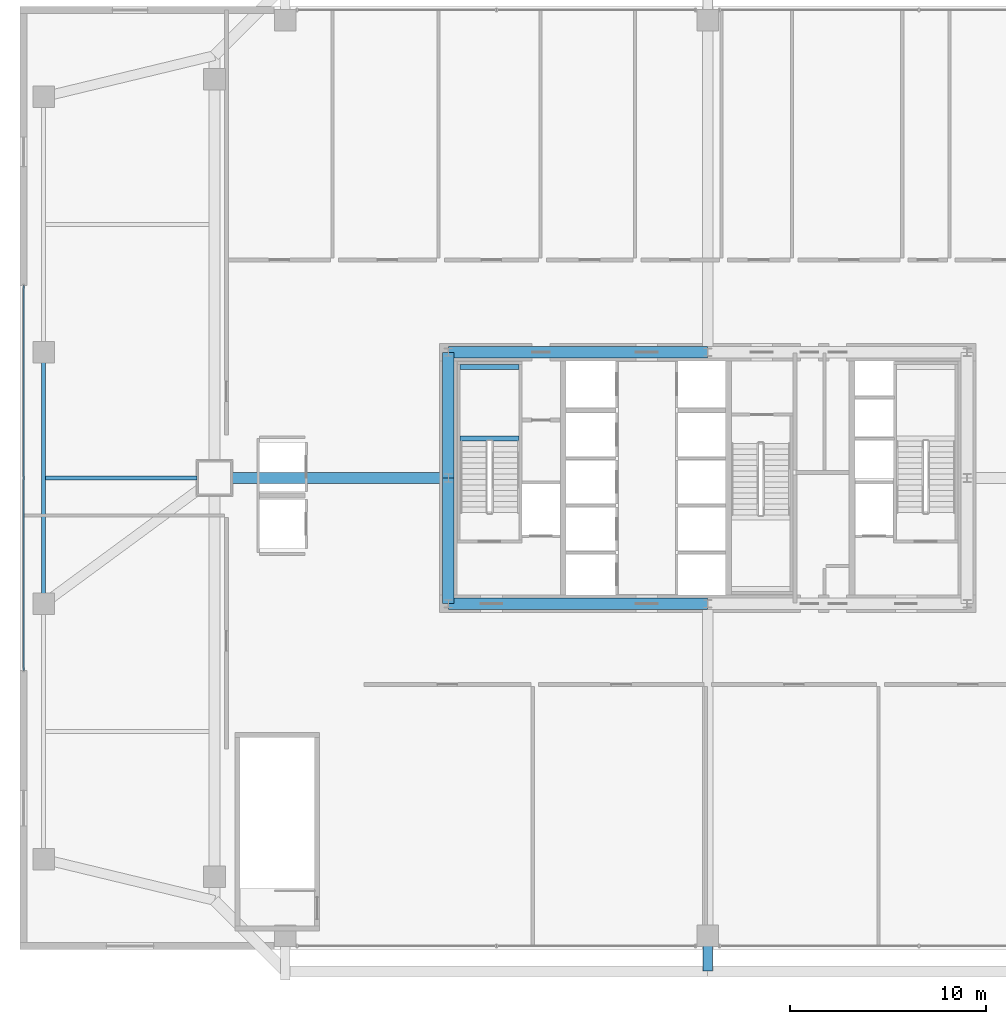
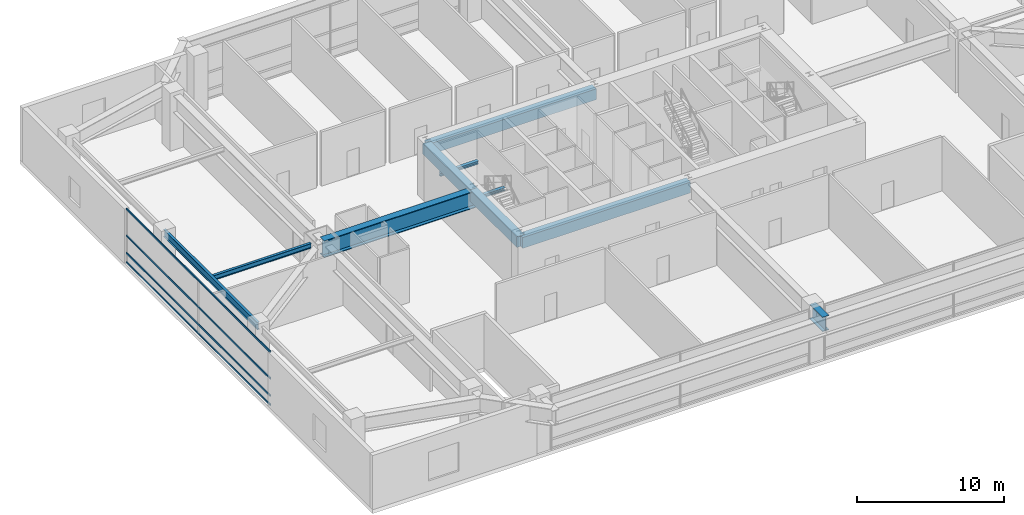
# One storey, part 10 of 34: 10 beams, 4 members, 1 element without a shape of its own.
"""IFC4 building model written with IfcOpenShell, lengths in metres."""

from ifc_helpers import new_model, si_unit, direction, frame, origin, origin_2d, place, context, subcontext, project, spatial, rectangle, hollow_rectangle, i_section, extrude, source, transform, mapped, material, layer, layer_set, material_profile, profile_set, type_object, element, aggregate, save


model = new_model("IFC4")

# Units and contexts
model_context = context("Model", 3, precision=1e-05, world=origin(), true_north=direction((0.0, 1.0)))
body_context = subcontext(model_context, "Body", "Model", "MODEL_VIEW")
ifc_project = project(units=[si_unit("LENGTHUNIT", "METRE"), si_unit("AREAUNIT", "SQUARE_METRE"), si_unit("VOLUMEUNIT", "CUBIC_METRE"), si_unit("PLANEANGLEUNIT", "RADIAN"), si_unit("MASSUNIT", "GRAM", prefix="KILO"), si_unit("THERMODYNAMICTEMPERATUREUNIT", "KELVIN"), si_unit("POWERUNIT", "WATT")], contexts=[model_context])

# Site, building, storey
site_placement = place(None, origin())
site = spatial("IfcSite", under=ifc_project, at=site_placement, CompositionType="ELEMENT")
building_placement = place(site_placement, origin())
building = spatial("IfcBuilding", under=site, at=building_placement, Name="Yuzanri Waterfront Tower", CompositionType="ELEMENT")
storey_placement = place(building_placement, frame((0.0, 0.0, 25.800048828125)))
storey = spatial("IfcBuildingStorey", under=building, at=storey_placement, Name="L06", CompositionType="ELEMENT", Elevation=25.800048828125)

# Beams
ifc_material_1 = material(Name="Concrete C60", Category="concrete")
ifc_material_profile_1 = material_profile(ifc_material_1, rectangle(XDim=0.60009765625, YDim=0.89990234375, at=origin_2d()), Name="RC 600x900")
ifc_profile_set_1 = profile_set([ifc_material_profile_1], Name="Concrete C60")
beam_type_1 = type_object("IfcBeamType", Name="Core Coupling Lintel Concrete C60 600x900", PredefinedType="LINTEL", material=ifc_profile_set_1)
shared_shape_1 = source(origin(), body_context, "Body", "SweptSolid", [
    extrude(rectangle(XDim=0.60009765625, YDim=0.89990234375, at=origin_2d()), origin(), (0.0, 0.0, 1.0), 13.199951171875),
])
for number, where, z_axis, x_axis, name in (
    (1, (23.800048828125, 19.39990234375, 4.050048828125), (1.0, 0.0, 0.0), (0.0, 1.0, 0.0), "L06 Core Tie Beam CS1"),
    (2, (23.800048828125, 32.199951171875, 4.050048828125), (1.0, 0.0, 0.0), (0.0, 1.0, 0.0), "L06 Core Tie Beam CN1"),
):
    element("IfcBeam", number, at=place(storey_placement, frame(where, z_axis=z_axis, x_axis=x_axis)), inside=storey, type_object=beam_type_1, Name=name, PredefinedType="LINTEL", context=body_context, shape_type="MappedRepresentation", body=[
        mapped(shared_shape_1, transform((0.0, 0.0, 0.0), scale=1.0)),
    ])
shared_shape_2 = source(origin(), body_context, "Body", "SweptSolid", [
    extrude(rectangle(XDim=0.60009765625, YDim=0.89990234375, at=origin_2d()), origin(), (0.0, 0.0, 1.0), 6.400146484375),
])
beam_1_placement = place(storey_placement, frame((23.800048828125, 19.39990234375, 4.050048828125), z_axis=(0.0, 1.0, 0.0), x_axis=(-1.0, 0.0, 0.0)))
element("IfcBeam", 3, at=beam_1_placement, inside=storey, type_object=beam_type_1, Name="L06 Core Tie Beam CW1", PredefinedType="LINTEL", context=body_context, shape_type="MappedRepresentation", body=[
    mapped(shared_shape_2, transform((0.0, 0.0, 0.0), scale=1.0)),
])
shared_shape_3 = source(origin(), body_context, "Body", "SweptSolid", [
    extrude(rectangle(XDim=0.60009765625, YDim=0.89990234375, at=origin_2d()), origin(), (0.0, 0.0, 1.0), 6.39990234375),
])
beam_2_placement = place(storey_placement, frame((23.800048828125, 25.800048828125, 4.050048828125), z_axis=(0.0, 1.0, 0.0), x_axis=(-1.0, 0.0, 0.0)))
element("IfcBeam", 4, at=beam_2_placement, inside=storey, type_object=beam_type_1, Name="L06 Core Tie Beam CW2", PredefinedType="LINTEL", context=body_context, shape_type="MappedRepresentation", body=[
    mapped(shared_shape_3, transform((0.0, 0.0, 0.0), scale=1.0)),
])
ifc_material_2 = material(Name="Steel Q355B", Category="steel")
ifc_material_profile_2 = material_profile(ifc_material_2, i_section(OverallWidth=0.199951171875, OverallDepth=0.60009765625, WebThickness=0.010986328125, FlangeThickness=0.01708984375, at=origin_2d()), Name="HN 600x200x11x17")
ifc_profile_set_2 = profile_set([ifc_material_profile_2], Name="Steel Q355B")
beam_type_2 = type_object("IfcBeamType", Name="Perimeter Spandrel Q355B HN 600x200", PredefinedType="SPANDREL", material=ifc_profile_set_2)
shared_shape_4 = source(origin(), body_context, "Body", "SweptSolid", [
    extrude(i_section(OverallWidth=0.199951171875, OverallDepth=0.60009765625, WebThickness=0.010986328125, FlangeThickness=0.01708984375, at=origin_2d()), origin(), (0.0, 0.0, 1.0), 12.800048828125),
])
beam_3_placement = place(storey_placement, frame((3.199951171875, 19.39990234375, 4.199951171875), z_axis=(0.0, 1.0, 0.0), x_axis=(-1.0, 0.0, 0.0)))
element("IfcBeam", 5, at=beam_3_placement, inside=storey, type_object=beam_type_2, Name="L06 West Podium Spandrel 2", PredefinedType="SPANDREL", context=body_context, shape_type="MappedRepresentation", body=[
    mapped(shared_shape_4, transform((0.0, 0.0, 0.0), scale=1.0)),
])
ifc_material_3 = material(Name="Steel Q420GJC", Category="steel")
ifc_material_profile_3 = material_profile(ifc_material_3, i_section(OverallWidth=0.550048828125, OverallDepth=1.39990234375, WebThickness=0.030029296875, FlangeThickness=0.054931640625, at=origin_2d()), Name="PG 1400x550x30x55")
ifc_profile_set_3 = profile_set([ifc_material_profile_3], Name="Steel Q420GJC")
beam_type_3 = type_object("IfcBeamType", Name="Tower Base Transfer Girder Q420GJC PG 1400x550", PredefinedType="USERDEFINED", material=ifc_profile_set_3)
shared_shape_5 = source(origin(), body_context, "Body", "SweptSolid", [
    extrude(i_section(OverallWidth=0.550048828125, OverallDepth=1.39990234375, WebThickness=0.030029296875, FlangeThickness=0.054931640625, at=origin_2d()), origin(), (0.0, 0.0, 1.0), 11.900146484375),
])
beam_4_placement = place(storey_placement, frame((23.800048828125, 25.800048828125, 3.800048828125), z_axis=(-1.0, 0.0, 0.0), x_axis=(0.0, -1.0, 0.0)))
element("IfcBeam", 6, at=beam_4_placement, inside=storey, type_object=beam_type_3, Name="L06 Tower Base Transfer W2A", ObjectType="GIRDER", PredefinedType="USERDEFINED", context=body_context, shape_type="MappedRepresentation", body=[
    mapped(shared_shape_5, transform((0.0, 0.0, 0.0), scale=1.0)),
])
ifc_material_4 = material(Name="Steel Q420GJC", Category="steel")
ifc_material_profile_4 = material_profile(ifc_material_4, i_section(OverallWidth=0.5, OverallDepth=1.199951171875, WebThickness=0.028076171875, FlangeThickness=0.050048828125, at=origin_2d()), Name="PG 1200x500x28x50")
ifc_profile_set_4 = profile_set([ifc_material_profile_4], Name="Steel Q420GJC")
beam_type_4 = type_object("IfcBeamType", Name="Setback Transfer Girder Q420GJC PG 1200x500", PredefinedType="USERDEFINED", material=ifc_profile_set_4)
shared_shape_6 = source(origin(), body_context, "Body", "SweptSolid", [
    extrude(i_section(OverallWidth=0.5, OverallDepth=1.199951171875, WebThickness=0.028076171875, FlangeThickness=0.050048828125, at=origin_2d()), origin(), (0.0, 0.0, 1.0), 1.800048828125),
])
beam_5_placement = place(storey_placement, frame((37.0, 0.699951171875, 3.89990234375), z_axis=(0.0, 1.0, 0.0), x_axis=(-1.0, 0.0, 0.0)))
element("IfcBeam", 7, at=beam_5_placement, inside=storey, type_object=beam_type_4, Name="L06 Tower Base Transfer S2B", ObjectType="GIRDER", PredefinedType="USERDEFINED", context=body_context, shape_type="MappedRepresentation", body=[
    mapped(shared_shape_6, transform((0.0, 0.0, 0.0), scale=1.0)),
])
ifc_material_5 = material(Name="Steel Q355B", Category="steel")
ifc_material_profile_5 = material_profile(ifc_material_5, i_section(OverallWidth=0.199951171875, OverallDepth=0.39990234375, WebThickness=0.008056640625, FlangeThickness=0.012939453125, at=origin_2d()), Name="HN 400x200x8x13")
ifc_profile_set_5 = profile_set([ifc_material_profile_5], Name="Steel Q355B")
beam_type_5 = type_object("IfcBeamType", Name="Floor Joist Q355B HN 400x200", PredefinedType="JOIST", material=ifc_profile_set_5)
shared_shape_7 = source(origin(), body_context, "Body", "SweptSolid", [
    extrude(i_section(OverallWidth=0.199951171875, OverallDepth=0.39990234375, WebThickness=0.008056640625, FlangeThickness=0.012939453125, at=origin_2d()), origin(), (0.0, 0.0, 1.0), 7.699951171875),
])
beam_6_placement = place(storey_placement, frame((3.300048828125, 25.800048828125, 4.300048828125), z_axis=(1.0, 0.0, 0.0), x_axis=(0.0, 1.0, 0.0)))
element("IfcBeam", 8, at=beam_6_placement, inside=storey, type_object=beam_type_5, Name="L06 West Podium Roof Joist 2", PredefinedType="JOIST", context=body_context, shape_type="MappedRepresentation", body=[
    mapped(shared_shape_7, transform((0.0, 0.0, 0.0), scale=1.0)),
])

# Curtain wall, members
ifc_material_6 = material(Name="Anodized Architectural Bronze", Category="metal")
ifc_layer = layer(ifc_material_6, 0.159912109375)
ifc_layer_set = layer_set([ifc_layer], Name="Anodized Architectural Bronze")
curtain_wall_type = type_object("IfcCurtainWallType", Name="Anodized Bronze Podium Waterfront Double-Height Unitized Curtain Wall 8400", PredefinedType="NOTDEFINED", material=ifc_layer_set)
curtain_wall_placement = place(storey_placement, origin())
curtain_wall = element("IfcCurtainWall", 9, at=curtain_wall_placement, inside=storey, type_object=curtain_wall_type, Name="L06 Curtain Wall CW-L06-W", PredefinedType="NOTDEFINED")
ifc_material_7 = material(Name="Anodized Architectural Bronze", Category="metal")
ifc_material_profile_6 = material_profile(ifc_material_7, hollow_rectangle(XDim=0.074951171875, YDim=0.14990234375, WallThickness=0.00390625, at=origin_2d()), Name="CWT 75x150")
ifc_profile_set_6 = profile_set([ifc_material_profile_6], Name="Anodized Architectural Bronze")
member_type = type_object("IfcMemberType", Name="Anodized Bronze Primary Curtain-Wall Transom 75x150", PredefinedType="USERDEFINED", material=ifc_profile_set_6)
shared_shape_8 = source(origin(), body_context, "Body", "SweptSolid", [
    extrude(hollow_rectangle(XDim=0.074951171875, YDim=0.14990234375, WallThickness=0.00390625, at=origin_2d()), origin(), (0.0, 0.0, 1.0), 19.60009765625),
])
member_1_placement = place(storey_placement, frame((2.179931640625, 16.0, 0.050048828125), z_axis=(0.0, 1.0, 0.0), x_axis=(-1.0, 0.0, 0.0)))
member_1 = element("IfcMember", 10, at=member_1_placement, type_object=member_type, Name="CW-L06-W Transom 1", ObjectType="TRANSOM", PredefinedType="USERDEFINED", context=body_context, shape_type="MappedRepresentation", body=[
    mapped(shared_shape_8, transform((0.0, 0.0, 0.0), scale=1.0)),
])
member_2_placement = place(storey_placement, frame((2.179931640625, 16.0, 0.820068359375), z_axis=(0.0, 1.0, 0.0), x_axis=(-1.0, 0.0, 0.0)))
member_2 = element("IfcMember", 11, at=member_2_placement, type_object=member_type, Name="CW-L06-W Transom 2", ObjectType="TRANSOM", PredefinedType="USERDEFINED", context=body_context, shape_type="MappedRepresentation", body=[
    mapped(shared_shape_8, transform((0.0, 0.0, 0.0), scale=1.0)),
])
member_3_placement = place(storey_placement, frame((2.179931640625, 16.0, 2.25), z_axis=(0.0, 1.0, 0.0), x_axis=(-1.0, 0.0, 0.0)))
member_3 = element("IfcMember", 12, at=member_3_placement, type_object=member_type, Name="CW-L06-W Transom 3", ObjectType="TRANSOM", PredefinedType="USERDEFINED", context=body_context, shape_type="MappedRepresentation", body=[
    mapped(shared_shape_8, transform((0.0, 0.0, 0.0), scale=1.0)),
])
member_4_placement = place(storey_placement, frame((2.179931640625, 16.0, 4.449951171875), z_axis=(0.0, 1.0, 0.0), x_axis=(-1.0, 0.0, 0.0)))
member_4 = element("IfcMember", 13, at=member_4_placement, type_object=member_type, Name="CW-L06-W Transom 4", ObjectType="TRANSOM", PredefinedType="USERDEFINED", context=body_context, shape_type="MappedRepresentation", body=[
    mapped(shared_shape_8, transform((0.0, 0.0, 0.0), scale=1.0)),
])
aggregate(curtain_wall, [member_1, member_2, member_3, member_4])

# Beams
ifc_material_8 = material(Name="Steel Q355B", Category="steel")
ifc_material_profile_7 = material_profile(ifc_material_8, i_section(OverallWidth=0.25, OverallDepth=0.25, WebThickness=0.009033203125, FlangeThickness=0.013916015625, at=origin_2d()), Name="HW 250x250x9x14")
ifc_profile_set_7 = profile_set([ifc_material_profile_7], Name="Steel Q355B")
beam_type_6 = type_object("IfcBeamType", Name="Stair Landing Support Beam Q355B HW 250x250", PredefinedType="BEAM", material=ifc_profile_set_7)
shared_shape_9 = source(origin(), body_context, "Body", "SweptSolid", [
    extrude(i_section(OverallWidth=0.25, OverallDepth=0.25, WebThickness=0.009033203125, FlangeThickness=0.013916015625, at=origin_2d()), origin(), (0.0, 0.0, 1.0), 3.0),
])
for number, where, z_axis, x_axis, name in (
    (14, (24.39990234375, 27.81005859375, 2.074951171875), (1.0, 0.0, 0.0), (0.0, 1.0, 0.0), "L06 Stair Landing Support Beam ST-01-L06-L1-1"),
    (15, (24.39990234375, 31.449951171875, 2.074951171875), (1.0, 0.0, 0.0), (0.0, 1.0, 0.0), "L06 Stair Landing Support Beam ST-01-L06-L1-2"),
):
    element("IfcBeam", number, at=place(storey_placement, frame(where, z_axis=z_axis, x_axis=x_axis)), inside=storey, type_object=beam_type_6, Name=name, PredefinedType="BEAM", context=body_context, shape_type="MappedRepresentation", body=[
        mapped(shared_shape_9, transform((0.0, 0.0, 0.0), scale=1.0)),
    ])

save(model, "model.ifc")
